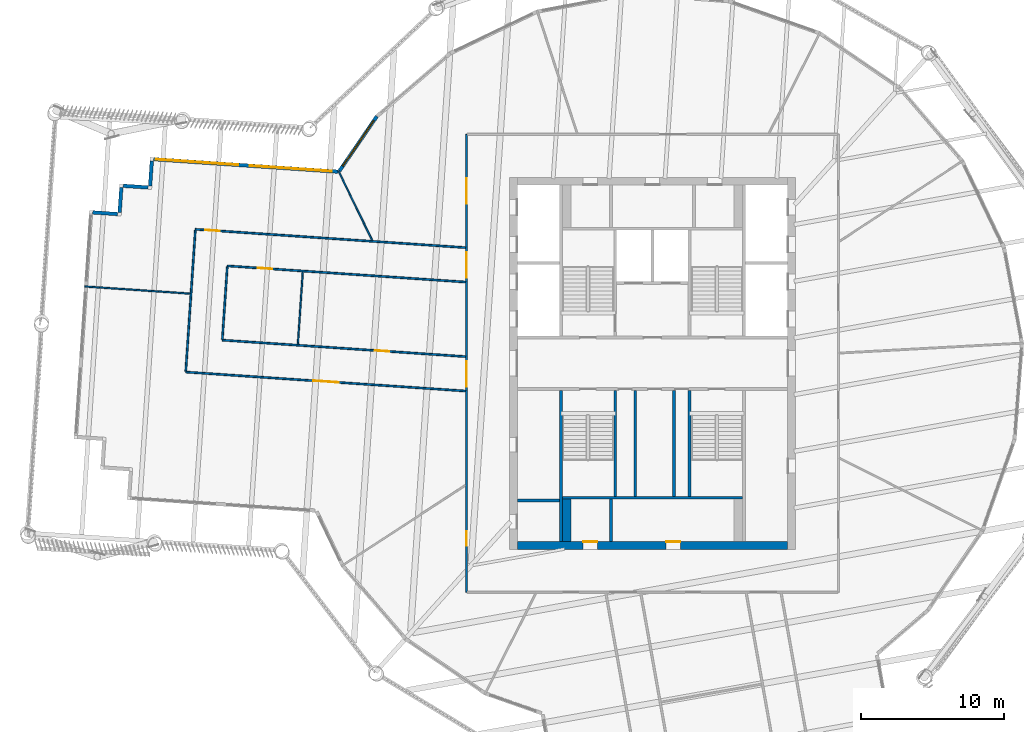
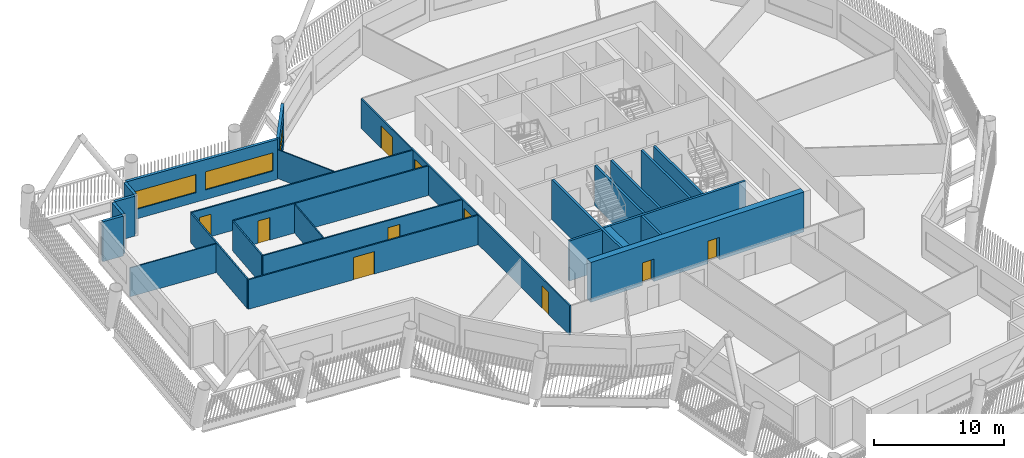
# One storey, part 4 of 22: 26 walls, 10 doors, 3 windows, 13 openings.
"""IFC4 building model written with IfcOpenShell, lengths in metres."""

from ifc_helpers import new_model, si_unit, direction, frame, frame_2d, origin, place, context, subcontext, project, spatial, rectangle, extrude, material, layer, layer_set, type_object, element, fill, save


model = new_model("IFC4")

# Units and contexts
model_context = context("Model", 3, precision=1e-05, world=origin(), true_north=direction((0.0, 1.0)))
body_context = subcontext(model_context, "Body", "Model", "MODEL_VIEW")
ifc_project = project(units=[si_unit("LENGTHUNIT", "METRE"), si_unit("AREAUNIT", "SQUARE_METRE"), si_unit("VOLUMEUNIT", "CUBIC_METRE"), si_unit("PLANEANGLEUNIT", "RADIAN"), si_unit("MASSUNIT", "GRAM", prefix="KILO")], contexts=[model_context])

# Site, building, storey
site_placement = place(None, origin())
site = spatial("IfcSite", under=ifc_project, at=site_placement, CompositionType="ELEMENT")
building_placement = place(site_placement, origin())
building = spatial("IfcBuilding", under=site, at=building_placement, Name="Tarsis Ring Headquarters", CompositionType="ELEMENT")
storey_placement = place(building_placement, frame((0.0, 0.0, 270.800048828125)))
storey = spatial("IfcBuildingStorey", under=building, at=storey_placement, Name="L63", CompositionType="ELEMENT", Elevation=270.800048828125)

# Walls
ifc_material_1 = material(Name="Blockwork", Category="masonry")
ifc_layer_1 = layer(ifc_material_1, 0.199951171875)
ifc_layer_set_1 = layer_set([ifc_layer_1], Name="Core blockwork wall 200")
wall_type_1 = type_object("IfcWallType", Name="Core blockwork wall 200", PredefinedType="PARTITIONING", material=ifc_layer_set_1)
for number, where, z_axis, x_axis, name in (
    (1, (-9.449951171875, -9.60009765625, 0.0), (0.0, 0.0, 1.0), (1.0, 0.0, 0.0), "Core partition WD1"),
    (2, (-2.89990234375, -12.449951171875, 0.0), (0.0, 0.0, 1.0), (0.0, 1.0, 0.0), "Core partition SD1"),
):
    element("IfcWall", number, at=place(storey_placement, frame(where, z_axis=z_axis, x_axis=x_axis)), inside=storey, type_object=wall_type_1, Name=name, PredefinedType="PARTITIONING", context=body_context, shape_type="SweptSolid", body=[
        extrude(rectangle(XDim=2.949951171875, YDim=0.199951171875, at=frame_2d((1.47509765625, 0.0))), origin(), (0.0, 0.0, 1.0), 3.739990234375),
    ])
for number, where, z_axis, x_axis, name in (
    (3, (-1.199951171875, -9.300048828125, 0.0), (0.0, 0.0, 1.0), (0.0, 1.0, 0.0), "Core partition SV1"),
    (4, (1.5, -9.300048828125, 0.0), (0.0, 0.0, 1.0), (0.0, 1.0, 0.0), "Core partition SV2"),
):
    element("IfcWall", number, at=place(storey_placement, frame(where, z_axis=z_axis, x_axis=x_axis)), inside=storey, type_object=wall_type_1, Name=name, PredefinedType="PARTITIONING", context=body_context, shape_type="SweptSolid", body=[
        extrude(rectangle(XDim=7.400146484375, YDim=0.199951171875, at=frame_2d((3.7001953125, 0.0))), origin(), (0.0, 0.0, 1.0), 3.739990234375),
    ])

# Wall, openings, doors
ifc_material_2 = material(Name="Concrete C50/60", Category="concrete")
ifc_layer_2 = layer(ifc_material_2, 0.550048828125)
ifc_layer_set_2 = layer_set([ifc_layer_2], Name="Core wall 550 C50/60")
wall_type_2 = type_object("IfcWallType", Name="Core wall 550 C50/60", PredefinedType="SHEAR", material=ifc_layer_set_2)
wall_1_placement = place(storey_placement, frame((-9.449951171875, -12.72509765625, 0.0), z_axis=(0.0, 0.0, 1.0), x_axis=(1.0, 0.0, 0.0)))
wall_1 = element("IfcWall", 5, at=wall_1_placement, inside=storey, type_object=wall_type_2, Name="Core wall OS", PredefinedType="SHEAR", context=body_context, shape_type="SweptSolid", body=[
    extrude(rectangle(XDim=18.89990234375, YDim=0.550048828125, at=frame_2d((9.449951171875, 0.0))), origin(), (0.0, 0.0, 1.0), 3.739990234375),
])
opening_1_placement = place(wall_1_placement, frame((4.60009765625, 0.0, 0.0)))
opening_1 = element("IfcOpeningElement", 6, at=opening_1_placement, cuts=wall_1, Name="Opening L63-C17", PredefinedType="OPENING", context=body_context, shape_type="SweptSolid", body=[
    extrude(rectangle(XDim=1.0, YDim=2.10009765625, at=frame_2d((0.5, 1.050048828125))), frame((0.0, 0.284912109375, 0.0), z_axis=(0.0, -1.0, 0.0), x_axis=(1.0, 0.0, 0.0)), (0.0, 0.0, 1.0), 0.570068359375),
])
opening_2_placement = place(wall_1_placement, frame((10.39990234375, 0.0, 0.0)))
opening_2 = element("IfcOpeningElement", 7, at=opening_2_placement, cuts=wall_1, Name="Opening L63-C18", PredefinedType="OPENING", context=body_context, shape_type="SweptSolid", body=[
    extrude(rectangle(XDim=1.0, YDim=2.10009765625, at=frame_2d((0.5, 1.050048828125))), frame((0.0, 0.284912109375, 0.0), z_axis=(0.0, -1.0, 0.0), x_axis=(1.0, 0.0, 0.0)), (0.0, 0.0, 1.0), 0.570068359375),
])
ifc_material_3 = material(Name="Steel S355", Category="steel")
door_type_1 = type_object("IfcDoorType", Name="Core room door 1000x2100", OperationType="SINGLE_SWING_LEFT", PredefinedType="DOOR", material=ifc_material_3)
door_1_placement = place(opening_1_placement, origin())
door_1 = element("IfcDoor", 8, at=door_1_placement, inside=storey, type_object=door_type_1, Name="Core room door L63", OperationType="SINGLE_SWING_LEFT", OverallHeight=2.10009765625, OverallWidth=1.0, PredefinedType="DOOR", context=body_context, shape_type="SweptSolid", body=[
    extrude(rectangle(XDim=1.0, YDim=2.10009765625, at=frame_2d((0.5, 1.050048828125))), frame((0.0, 0.27490234375, 0.0), z_axis=(0.0, -1.0, 0.0), x_axis=(1.0, 0.0, 0.0)), (0.0, 0.0, 1.0), 0.050048828125),
])
fill(opening_1, door_1)
door_2_placement = place(opening_2_placement, origin())
door_2 = element("IfcDoor", 9, at=door_2_placement, inside=storey, type_object=door_type_1, Name="Core room door L63", OperationType="SINGLE_SWING_LEFT", OverallHeight=2.10009765625, OverallWidth=1.0, PredefinedType="DOOR", context=body_context, shape_type="SweptSolid", body=[
    extrude(rectangle(XDim=1.0, YDim=2.10009765625, at=frame_2d((0.5, 1.050048828125))), frame((0.0, 0.27490234375, 0.0), z_axis=(0.0, -1.0, 0.0), x_axis=(1.0, 0.0, 0.0)), (0.0, 0.0, 1.0), 0.050048828125),
])
fill(opening_2, door_2)

# Walls
ifc_material_4 = material(Name="Gypsum board on steel studs", Category="steel")
ifc_layer_3 = layer(ifc_material_4, 0.10009765625)
ifc_layer_set_3 = layer_set([ifc_layer_3], Name="FL partition 100 unrated")
wall_type_3 = type_object("IfcWallType", Name="FL partition 100 unrated", PredefinedType="PARTITIONING", material=ifc_layer_set_3)
wall_2_placement = place(storey_placement, frame((-39.677734375, 5.3671875, 0.0), z_axis=(0.0, 0.0, 1.0), x_axis=(0.997707238511, -0.06767766413, 0.0)))
element("IfcWall", 10, at=wall_2_placement, inside=storey, type_object=wall_type_3, Name="Partition PW3", PredefinedType="PARTITIONING", context=body_context, shape_type="SweptSolid", body=[
    extrude(rectangle(XDim=7.369873046875, YDim=0.10009765625, at=frame_2d((3.68505859375, 0.0))), origin(), (0.0, 0.0, 1.0), 2.699951171875),
])
wall_3_placement = place(storey_placement, frame((-21.943603515625, 13.440673828125, 0.0), z_axis=(0.0, 0.0, 1.0), x_axis=(0.436331469753, -0.899786001505, 0.0)))
element("IfcWall", 11, at=wall_3_placement, inside=storey, type_object=wall_type_3, Name="Partition PW3", PredefinedType="PARTITIONING", context=body_context, shape_type="SweptSolid", body=[
    extrude(rectangle(XDim=5.373779296875, YDim=0.10009765625, at=frame_2d((2.68701171875, 0.0))), origin(), (0.0, 0.0, 1.0), 2.699951171875),
])
wall_4_placement = place(storey_placement, frame((-24.786865234375, 1.330322265625, 0.0), z_axis=(0.0, 0.0, 1.0), x_axis=(0.067694248819, 0.997706113381, 0.0)))
element("IfcWall", 12, at=wall_4_placement, inside=storey, type_object=wall_type_3, Name="Partition PW3", PredefinedType="PARTITIONING", context=body_context, shape_type="SweptSolid", body=[
    extrude(rectangle(XDim=5.06005859375, YDim=0.10009765625, at=frame_2d((2.530029296875, 0.0))), origin(), (0.0, 0.0, 1.0), 2.699951171875),
])

# Wall, openings, doors
ifc_layer_4 = layer(ifc_material_4, 0.125)
ifc_layer_set_4 = layer_set([ifc_layer_4], Name="FL partition 125 EI 60 H2770")
wall_type_4 = type_object("IfcWallType", Name="FL partition 125 EI 60 H2770", PredefinedType="PARTITIONING", material=ifc_layer_set_4)
wall_5_placement = place(storey_placement, frame((-13.0, -16.0, 0.0), z_axis=(0.0, 0.0, 1.0), x_axis=(0.0, 1.0, 0.0)))
wall_5 = element("IfcWall", 13, at=wall_5_placement, inside=storey, type_object=wall_type_4, Name="Partition PW1", PredefinedType="PARTITIONING", context=body_context, shape_type="SweptSolid", body=[
    extrude(rectangle(XDim=32.0, YDim=0.125, at=frame_2d((16.0, 0.0))), origin(), (0.0, 0.0, 1.0), 2.77001953125),
])
opening_3_placement = place(wall_5_placement, frame((27.13916015625, 0.0, 0.0)))
opening_3 = element("IfcOpeningElement", 14, at=opening_3_placement, cuts=wall_5, Name="Opening D63.03", PredefinedType="OPENING", context=body_context, shape_type="SweptSolid", body=[
    extrude(rectangle(XDim=1.800048828125, YDim=2.10009765625, at=frame_2d((0.89990234375, 1.050048828125))), frame((0.0, 0.072509765625, 0.0), z_axis=(0.0, -1.0, 0.0), x_axis=(1.0, 0.0, 0.0)), (0.0, 0.0, 1.0), 0.14501953125),
])
opening_4_placement = place(wall_5_placement, frame((3.259521484375, 0.0, 0.0)))
opening_4 = element("IfcOpeningElement", 15, at=opening_4_placement, cuts=wall_5, Name="Opening D63.11", PredefinedType="OPENING", context=body_context, shape_type="SweptSolid", body=[
    extrude(rectangle(XDim=1.0, YDim=2.10009765625, at=frame_2d((0.5, 1.050048828125))), frame((0.0, 0.072509765625, 0.0), z_axis=(0.0, -1.0, 0.0), x_axis=(1.0, 0.0, 0.0)), (0.0, 0.0, 1.0), 0.14501953125),
])
opening_5_placement = place(wall_5_placement, frame((14.35791015625, 0.0, 0.0)))
opening_5 = element("IfcOpeningElement", 16, at=opening_5_placement, cuts=wall_5, Name="Opening D63.18", PredefinedType="OPENING", context=body_context, shape_type="SweptSolid", body=[
    extrude(rectangle(XDim=1.800048828125, YDim=2.10009765625, at=frame_2d((0.89990234375, 1.050048828125))), frame((0.0, 0.072509765625, 0.0), z_axis=(0.0, -1.0, 0.0), x_axis=(1.0, 0.0, 0.0)), (0.0, 0.0, 1.0), 0.14501953125),
])
opening_6_placement = place(wall_5_placement, frame((21.975341796875, 0.0, 0.0)))
opening_6 = element("IfcOpeningElement", 17, at=opening_6_placement, cuts=wall_5, Name="Opening D63.19", PredefinedType="OPENING", context=body_context, shape_type="SweptSolid", body=[
    extrude(rectangle(XDim=1.800048828125, YDim=2.10009765625, at=frame_2d((0.89990234375, 1.050048828125))), frame((0.0, 0.072509765625, 0.0), z_axis=(0.0, -1.0, 0.0), x_axis=(1.0, 0.0, 0.0)), (0.0, 0.0, 1.0), 0.14501953125),
])
ifc_material_5 = material(Name="Fire-rated timber door leaf in steel frame", Category="steel")
door_type_2 = type_object("IfcDoorType", Name="FL door FD60-1000", OperationType="NOTDEFINED", PredefinedType="DOOR", material=ifc_material_5)
door_3_placement = place(opening_4_placement, origin())
door_3 = element("IfcDoor", 18, at=door_3_placement, inside=storey, type_object=door_type_2, Name="Door D63.11", OperationType="SINGLE_SWING_RIGHT", OverallHeight=2.10009765625, OverallWidth=1.0, PredefinedType="DOOR", context=body_context, shape_type="SweptSolid", body=[
    extrude(rectangle(XDim=1.0, YDim=2.10009765625, at=frame_2d((0.5, 1.050048828125))), frame((0.0, 0.02490234375, 0.0), z_axis=(0.0, -1.0, 0.0), x_axis=(1.0, 0.0, 0.0)), (0.0, 0.0, 1.0), 0.050048828125),
])
fill(opening_4, door_3)
door_type_3 = type_object("IfcDoorType", Name="FL door FD60-1800", OperationType="DOUBLE_DOOR_SINGLE_SWING", PredefinedType="DOOR", material=ifc_material_5)
door_4_placement = place(opening_3_placement, origin())
door_4 = element("IfcDoor", 19, at=door_4_placement, inside=storey, type_object=door_type_3, Name="Door D63.03", OperationType="DOUBLE_DOOR_SINGLE_SWING", OverallHeight=2.10009765625, OverallWidth=1.800048828125, PredefinedType="DOOR", context=body_context, shape_type="SweptSolid", body=[
    extrude(rectangle(XDim=1.800048828125, YDim=2.10009765625, at=frame_2d((0.89990234375, 1.050048828125))), frame((0.0, 0.02490234375, 0.0), z_axis=(0.0, -1.0, 0.0), x_axis=(1.0, 0.0, 0.0)), (0.0, 0.0, 1.0), 0.050048828125),
])
fill(opening_3, door_4)
door_5_placement = place(opening_5_placement, origin())
door_5 = element("IfcDoor", 20, at=door_5_placement, inside=storey, type_object=door_type_3, Name="Door D63.18", OperationType="DOUBLE_DOOR_SINGLE_SWING", OverallHeight=2.10009765625, OverallWidth=1.800048828125, PredefinedType="DOOR", context=body_context, shape_type="SweptSolid", body=[
    extrude(rectangle(XDim=1.800048828125, YDim=2.10009765625, at=frame_2d((0.89990234375, 1.050048828125))), frame((0.0, 0.02490234375, 0.0), z_axis=(0.0, -1.0, 0.0), x_axis=(1.0, 0.0, 0.0)), (0.0, 0.0, 1.0), 0.050048828125),
])
fill(opening_5, door_5)
door_6_placement = place(opening_6_placement, origin())
door_6 = element("IfcDoor", 21, at=door_6_placement, inside=storey, type_object=door_type_3, Name="Door D63.19", OperationType="DOUBLE_DOOR_SINGLE_SWING", OverallHeight=2.10009765625, OverallWidth=1.800048828125, PredefinedType="DOOR", context=body_context, shape_type="SweptSolid", body=[
    extrude(rectangle(XDim=1.800048828125, YDim=2.10009765625, at=frame_2d((0.89990234375, 1.050048828125))), frame((0.0, 0.02490234375, 0.0), z_axis=(0.0, -1.0, 0.0), x_axis=(1.0, 0.0, 0.0)), (0.0, 0.0, 1.0), 0.050048828125),
])
fill(opening_6, door_6)

# Wall, opening, door
wall_6_placement = place(storey_placement, frame((-32.626220703125, -0.61376953125, 0.0), z_axis=(0.0, 0.0, 1.0), x_axis=(0.997708619228, -0.067657306464, 0.0)))
wall_6 = element("IfcWall", 22, at=wall_6_placement, inside=storey, type_object=wall_type_4, Name="Partition PW1", PredefinedType="PARTITIONING", context=body_context, shape_type="SweptSolid", body=[
    extrude(rectangle(XDim=19.601318359375, YDim=0.125, at=frame_2d((9.80078125, 0.0))), origin(), (0.0, 0.0, 1.0), 2.77001953125),
])
opening_7_placement = place(wall_6_placement, frame((8.935791015625, 0.0, 0.0)))
opening_7 = element("IfcOpeningElement", 23, at=opening_7_placement, cuts=wall_6, Name="Opening D63.01", PredefinedType="OPENING", context=body_context, shape_type="SweptSolid", body=[
    extrude(rectangle(XDim=1.800048828125, YDim=2.10009765625, at=frame_2d((0.89990234375, 1.050048828125))), frame((0.0, 0.072509765625, 0.0), z_axis=(0.0, -1.0, 0.0), x_axis=(1.0, 0.0, 0.0)), (0.0, 0.0, 1.0), 0.14501953125),
])
door_7_placement = place(opening_7_placement, origin())
door_7 = element("IfcDoor", 24, at=door_7_placement, inside=storey, type_object=door_type_3, Name="Door D63.01", OperationType="DOUBLE_DOOR_SINGLE_SWING", OverallHeight=2.10009765625, OverallWidth=1.800048828125, PredefinedType="DOOR", context=body_context, shape_type="SweptSolid", body=[
    extrude(rectangle(XDim=1.800048828125, YDim=2.10009765625, at=frame_2d((0.89990234375, 1.050048828125))), frame((0.0, 0.02490234375, 0.0), z_axis=(0.0, -1.0, 0.0), x_axis=(1.0, 0.0, 0.0)), (0.0, 0.0, 1.0), 0.050048828125),
])
fill(opening_7, door_7)

wall_7_placement = place(storey_placement, frame((-31.94970703125, 9.36328125, 0.0), z_axis=(0.0, 0.0, 1.0), x_axis=(0.997708698507, -0.067656137368, 0.0)))
wall_7 = element("IfcWall", 25, at=wall_7_placement, inside=storey, type_object=wall_type_4, Name="Partition PW1", PredefinedType="PARTITIONING", context=body_context, shape_type="SweptSolid", body=[
    extrude(rectangle(XDim=18.92333984375, YDim=0.125, at=frame_2d((9.461669921875, 0.0))), origin(), (0.0, 0.0, 1.0), 2.77001953125),
])
opening_8_placement = place(wall_7_placement, frame((0.699951171875, 0.0, 0.0)))
opening_8 = element("IfcOpeningElement", 26, at=opening_8_placement, cuts=wall_7, Name="Opening D63.02", PredefinedType="OPENING", context=body_context, shape_type="SweptSolid", body=[
    extrude(rectangle(XDim=1.0, YDim=2.10009765625, at=frame_2d((0.5, 1.050048828125))), frame((0.0, 0.072509765625, 0.0), z_axis=(0.0, -1.0, 0.0), x_axis=(1.0, 0.0, 0.0)), (0.0, 0.0, 1.0), 0.14501953125),
])
door_8_placement = place(opening_8_placement, origin())
door_8 = element("IfcDoor", 27, at=door_8_placement, inside=storey, type_object=door_type_2, Name="Door D63.02", OperationType="SINGLE_SWING_LEFT", OverallHeight=2.10009765625, OverallWidth=1.0, PredefinedType="DOOR", context=body_context, shape_type="SweptSolid", body=[
    extrude(rectangle(XDim=1.0, YDim=2.10009765625, at=frame_2d((0.5, 1.050048828125))), frame((0.0, 0.02490234375, 0.0), z_axis=(0.0, -1.0, 0.0), x_axis=(1.0, 0.0, 0.0)), (0.0, 0.0, 1.0), 0.050048828125),
])
fill(opening_8, door_8)

wall_8_placement = place(storey_placement, frame((-30.0693359375, 1.618408203125, 0.0), z_axis=(0.0, 0.0, 1.0), x_axis=(0.997708423541, -0.067660192101, 0.0)))
wall_8 = element("IfcWall", 28, at=wall_8_placement, inside=storey, type_object=wall_type_4, Name="Partition PW1", PredefinedType="PARTITIONING", context=body_context, shape_type="SweptSolid", body=[
    extrude(rectangle(XDim=17.03857421875, YDim=0.125, at=frame_2d((8.519287109375, 0.0))), origin(), (0.0, 0.0, 1.0), 2.77001953125),
])
opening_9_placement = place(wall_8_placement, frame((10.698486328125, 0.0, 0.0)))
opening_9 = element("IfcOpeningElement", 29, at=opening_9_placement, cuts=wall_8, Name="Opening D63.12", PredefinedType="OPENING", context=body_context, shape_type="SweptSolid", body=[
    extrude(rectangle(XDim=1.0, YDim=2.10009765625, at=frame_2d((0.5, 1.050048828125))), frame((0.0, 0.072509765625, 0.0), z_axis=(0.0, -1.0, 0.0), x_axis=(1.0, 0.0, 0.0)), (0.0, 0.0, 1.0), 0.14501953125),
])
door_9_placement = place(opening_9_placement, origin())
door_9 = element("IfcDoor", 30, at=door_9_placement, inside=storey, type_object=door_type_2, Name="Door D63.12", OperationType="SINGLE_SWING_LEFT", OverallHeight=2.10009765625, OverallWidth=1.0, PredefinedType="DOOR", context=body_context, shape_type="SweptSolid", body=[
    extrude(rectangle(XDim=1.0, YDim=2.10009765625, at=frame_2d((0.5, 1.050048828125))), frame((0.0, 0.02490234375, 0.0), z_axis=(0.0, -1.0, 0.0), x_axis=(1.0, 0.0, 0.0)), (0.0, 0.0, 1.0), 0.050048828125),
])
fill(opening_9, door_9)

wall_9_placement = place(storey_placement, frame((-29.717529296875, 6.806396484375, 0.0), z_axis=(0.0, 0.0, 1.0), x_axis=(0.997708697843, -0.067656147162, 0.0)))
wall_9 = element("IfcWall", 31, at=wall_9_placement, inside=storey, type_object=wall_type_4, Name="Partition PW1", PredefinedType="PARTITIONING", context=body_context, shape_type="SweptSolid", body=[
    extrude(rectangle(XDim=16.68603515625, YDim=0.125, at=frame_2d((8.343017578125, 0.0))), origin(), (0.0, 0.0, 1.0), 2.77001953125),
])
opening_10_placement = place(wall_9_placement, frame((2.144287109375, 0.0, 0.0)))
opening_10 = element("IfcOpeningElement", 32, at=opening_10_placement, cuts=wall_9, Name="Opening D63.13", PredefinedType="OPENING", context=body_context, shape_type="SweptSolid", body=[
    extrude(rectangle(XDim=1.0, YDim=2.10009765625, at=frame_2d((0.5, 1.050048828125))), frame((0.0, 0.072509765625, 0.0), z_axis=(0.0, -1.0, 0.0), x_axis=(1.0, 0.0, 0.0)), (0.0, 0.0, 1.0), 0.14501953125),
])
door_10_placement = place(opening_10_placement, origin())
door_10 = element("IfcDoor", 33, at=door_10_placement, inside=storey, type_object=door_type_2, Name="Door D63.13", OperationType="SINGLE_SWING_RIGHT", OverallHeight=2.10009765625, OverallWidth=1.0, PredefinedType="DOOR", context=body_context, shape_type="SweptSolid", body=[
    extrude(rectangle(XDim=1.0, YDim=2.10009765625, at=frame_2d((0.5, 1.050048828125))), frame((0.0, 0.02490234375, 0.0), z_axis=(0.0, -1.0, 0.0), x_axis=(1.0, 0.0, 0.0)), (0.0, 0.0, 1.0), 0.050048828125),
])
fill(opening_10, door_10)

# Walls
wall_10_placement = place(storey_placement, frame((-32.622314453125, -0.5537109375, 0.0), z_axis=(0.0, 0.0, 1.0), x_axis=(0.067683444021, 0.997706846426, 0.0)))
element("IfcWall", 34, at=wall_10_placement, inside=storey, type_object=wall_type_4, Name="Partition PW1", PredefinedType="PARTITIONING", context=body_context, shape_type="SweptSolid", body=[
    extrude(rectangle(XDim=9.8798828125, YDim=0.125, at=frame_2d((4.93994140625, 0.0))), origin(), (0.0, 0.0, 1.0), 2.77001953125),
])
wall_11_placement = place(storey_placement, frame((-30.065185546875, 1.67822265625, 0.0), z_axis=(0.0, 0.0, 1.0), x_axis=(0.067619443106, 0.997711186123, 0.0)))
element("IfcWall", 35, at=wall_11_placement, inside=storey, type_object=wall_type_4, Name="Partition PW1", PredefinedType="PARTITIONING", context=body_context, shape_type="SweptSolid", body=[
    extrude(rectangle(XDim=5.080078125, YDim=0.125, at=frame_2d((2.5400390625, 0.0))), origin(), (0.0, 0.0, 1.0), 2.77001953125),
])

# Wall, opening, window
ifc_material_6 = material(Name="Terracotta clad insulated panel wall", Category="masonry")
ifc_layer_5 = layer(ifc_material_6, 0.25)
ifc_layer_set_5 = layer_set([ifc_layer_5], Name="Facade wall terracotta panel 250")
wall_type_5 = type_object("IfcWallType", Name="Facade wall terracotta panel 250", PredefinedType="STANDARD", material=ifc_layer_set_5)
wall_12_placement = place(storey_placement, frame((-19.273681640625, 17.259033203125, 0.0), z_axis=(0.0, 0.0, 1.0), x_axis=(-0.564664961598, -0.825320229452, 0.0)))
wall_12 = element("IfcWall", 36, at=wall_12_placement, inside=storey, type_object=wall_type_5, Name="External wall L63-30", PredefinedType="STANDARD", context=body_context, shape_type="SweptSolid", body=[
    extrude(rectangle(XDim=4.61767578125, YDim=0.25, at=frame_2d((2.308837890625, 0.0))), origin(), (0.0, 0.0, 1.0), 3.739990234375),
])
opening_11_placement = place(wall_12_placement, frame((0.367431640625, 0.0, 0.89990234375)))
opening_11 = element("IfcOpeningElement", 37, at=opening_11_placement, cuts=wall_12, Name="Opening WN02", PredefinedType="OPENING", context=body_context, shape_type="SweptSolid", body=[
    extrude(rectangle(XDim=3.85009765625, YDim=1.699951171875, at=frame_2d((1.925048828125, 0.85009765625))), frame((0.0, 0.135009765625, 0.0), z_axis=(0.0, -1.0, 0.0), x_axis=(1.0, 0.0, 0.0)), (0.0, 0.0, 1.0), 0.27001953125),
])
ifc_material_7 = material(Name="Aluminium framed double glazing", Category="aluminium")
window_type_1 = type_object("IfcWindowType", Name="Facade window 3850 x 1700", PartitioningType="SINGLE_PANEL", PredefinedType="WINDOW", material=ifc_material_7)
window_1_placement = place(opening_11_placement, origin())
window_1 = element("IfcWindow", 38, at=window_1_placement, inside=storey, type_object=window_type_1, Name="Window L63-30.1", OverallHeight=1.699951171875, OverallWidth=3.85009765625, PartitioningType="SINGLE_PANEL", PredefinedType="WINDOW", context=body_context, shape_type="SweptSolid", body=[
    extrude(rectangle(XDim=3.85009765625, YDim=1.699951171875, at=frame_2d((1.925048828125, 0.85009765625))), frame((0.0, 0.030029296875, 0.0), z_axis=(0.0, -1.0, 0.0), x_axis=(1.0, 0.0, 0.0)), (0.0, 0.0, 1.0), 0.06005859375),
])
fill(opening_11, window_1)

# Wall, openings, windows
wall_13_placement = place(storey_placement, frame((-21.99267578125, 13.393798828125, 0.0), z_axis=(0.0, 0.0, 1.0), x_axis=(-0.9977077103, 0.067670708648, 0.0)))
wall_13 = element("IfcWall", 39, at=wall_13_placement, inside=storey, type_object=wall_type_5, Name="External wall L63-31", PredefinedType="STANDARD", context=body_context, shape_type="SweptSolid", body=[
    extrude(rectangle(XDim=12.9013671875, YDim=0.25, at=frame_2d((6.45068359375, 0.0))), origin(), (0.0, 0.0, 1.0), 3.739990234375),
])
opening_12_placement = place(wall_13_placement, frame((0.412841796875, 0.0, 0.89990234375)))
opening_12 = element("IfcOpeningElement", 40, at=opening_12_placement, cuts=wall_13, Name="Opening WN06", PredefinedType="OPENING", context=body_context, shape_type="SweptSolid", body=[
    extrude(rectangle(XDim=5.75, YDim=1.699951171875, at=frame_2d((2.875, 0.85009765625))), frame((0.0, 0.135009765625, 0.0), z_axis=(0.0, -1.0, 0.0), x_axis=(1.0, 0.0, 0.0)), (0.0, 0.0, 1.0), 0.27001953125),
])
opening_13_placement = place(wall_13_placement, frame((6.988525390625, 0.0, 0.89990234375)))
opening_13 = element("IfcOpeningElement", 41, at=opening_13_placement, cuts=wall_13, Name="Opening WN06", PredefinedType="OPENING", context=body_context, shape_type="SweptSolid", body=[
    extrude(rectangle(XDim=5.75, YDim=1.699951171875, at=frame_2d((2.875, 0.85009765625))), frame((0.0, 0.135009765625, 0.0), z_axis=(0.0, -1.0, 0.0), x_axis=(1.0, 0.0, 0.0)), (0.0, 0.0, 1.0), 0.27001953125),
])
window_type_2 = type_object("IfcWindowType", Name="Facade window 5750 x 1700", PartitioningType="SINGLE_PANEL", PredefinedType="WINDOW", material=ifc_material_7)
window_2_placement = place(opening_12_placement, origin())
window_2 = element("IfcWindow", 42, at=window_2_placement, inside=storey, type_object=window_type_2, Name="Window L63-31.1", OverallHeight=1.699951171875, OverallWidth=5.75, PartitioningType="SINGLE_PANEL", PredefinedType="WINDOW", context=body_context, shape_type="SweptSolid", body=[
    extrude(rectangle(XDim=5.75, YDim=1.699951171875, at=frame_2d((2.875, 0.85009765625))), frame((0.0, 0.030029296875, 0.0), z_axis=(0.0, -1.0, 0.0), x_axis=(1.0, 0.0, 0.0)), (0.0, 0.0, 1.0), 0.06005859375),
])
fill(opening_12, window_2)
window_3_placement = place(opening_13_placement, origin())
window_3 = element("IfcWindow", 43, at=window_3_placement, inside=storey, type_object=window_type_2, Name="Window L63-31.2", OverallHeight=1.699951171875, OverallWidth=5.75, PartitioningType="SINGLE_PANEL", PredefinedType="WINDOW", context=body_context, shape_type="SweptSolid", body=[
    extrude(rectangle(XDim=5.75, YDim=1.699951171875, at=frame_2d((2.875, 0.85009765625))), frame((0.0, 0.030029296875, 0.0), z_axis=(0.0, -1.0, 0.0), x_axis=(1.0, 0.0, 0.0)), (0.0, 0.0, 1.0), 0.06005859375),
])
fill(opening_13, window_3)

# Walls
for number, where, z_axis, x_axis, name in (
    (44, (-34.997802734375, 14.150634765625, 0.0), (0.0, 0.0, 1.0), (-0.067657810925, -0.997708585019, 0.0), "External wall L63-32"),
    (45, (-35.249267578125, 12.288330078125, 0.0), (0.0, 0.0, 1.0), (-0.997708585019, 0.067657810925, 0.0), "External wall L63-33"),
    (46, (-37.12841796875, 12.29052734375, 0.0), (0.0, 0.0, 1.0), (-0.067657810925, -0.997708585019, 0.0), "External wall L63-34"),
):
    element("IfcWall", number, at=place(storey_placement, frame(where, z_axis=z_axis, x_axis=x_axis)), inside=storey, type_object=wall_type_5, Name=name, PredefinedType="STANDARD", context=body_context, shape_type="SweptSolid", body=[
        extrude(rectangle(XDim=1.75, YDim=0.25, at=frame_2d((0.875, 0.0))), origin(), (0.0, 0.0, 1.0), 3.739990234375),
    ])
wall_14_placement = place(storey_placement, frame((-37.380126953125, 10.42822265625, 0.0), z_axis=(0.0, 0.0, 1.0), x_axis=(-0.997707946311, 0.067667228914, 0.0)))
element("IfcWall", 47, at=wall_14_placement, inside=storey, type_object=wall_type_5, Name="External wall L63-35", PredefinedType="STANDARD", context=body_context, shape_type="SweptSolid", body=[
    extrude(rectangle(XDim=1.749755859375, YDim=0.25, at=frame_2d((0.875, 0.0))), origin(), (0.0, 0.0, 1.0), 3.739990234375),
])
ifc_material_8 = material(Name="Concrete C32/40", Category="concrete")
ifc_layer_6 = layer(ifc_material_8, 0.60009765625)
ifc_layer_set_6 = layer_set([ifc_layer_6], Name="Shaft end wall 600 C32/40")
wall_type_6 = type_object("IfcWallType", Name="Shaft end wall 600 C32/40", PredefinedType="SOLIDWALL", material=ifc_layer_set_6)
wall_15_placement = place(storey_placement, frame((-6.0, -12.449951171875, 0.0), z_axis=(0.0, 0.0, 1.0), x_axis=(0.0, 1.0, 0.0)))
element("IfcWall", 48, at=wall_15_placement, inside=storey, type_object=wall_type_6, Name="Core shaft wall SNE1", PredefinedType="SOLIDWALL", context=body_context, shape_type="SweptSolid", body=[
    extrude(rectangle(XDim=2.949951171875, YDim=0.60009765625, at=frame_2d((1.47509765625, 0.0))), origin(), (0.0, 0.0, 1.0), 3.739990234375),
])
ifc_layer_7 = layer(ifc_material_8, 0.199951171875)
ifc_layer_set_7 = layer_set([ifc_layer_7], Name="Shaft wall 200 C32/40")
wall_type_7 = type_object("IfcWallType", Name="Shaft wall 200 C32/40", PredefinedType="SOLIDWALL", material=ifc_layer_set_7)
wall_16_placement = place(storey_placement, frame((-6.39990234375, -12.449951171875, 0.0), z_axis=(0.0, 0.0, 1.0), x_axis=(0.0, 1.0, 0.0)))
element("IfcWall", 49, at=wall_16_placement, inside=storey, type_object=wall_type_7, Name="Core shaft wall WB1", PredefinedType="SOLIDWALL", context=body_context, shape_type="SweptSolid", body=[
    extrude(rectangle(XDim=10.550048828125, YDim=0.199951171875, at=frame_2d((5.27490234375, 0.0))), origin(), (0.0, 0.0, 1.0), 3.739990234375),
])
wall_17_placement = place(storey_placement, frame((-6.300048828125, -9.39990234375, 0.0), z_axis=(0.0, 0.0, 1.0), x_axis=(1.0, 0.0, 0.0)))
element("IfcWall", 50, at=wall_17_placement, inside=storey, type_object=wall_type_7, Name="Core shaft wall SB", PredefinedType="SOLIDWALL", context=body_context, shape_type="SweptSolid", body=[
    extrude(rectangle(XDim=12.60009765625, YDim=0.199951171875, at=frame_2d((6.300048828125, 0.0))), origin(), (0.0, 0.0, 1.0), 3.739990234375),
])
for number, where, z_axis, x_axis, name in (
    (51, (-2.60009765625, -9.300048828125, 0.0), (0.0, 0.0, 1.0), (0.0, 1.0, 0.0), "Core shaft wall SW3"),
    (52, (2.60009765625, -9.300048828125, 0.0), (0.0, 0.0, 1.0), (0.0, 1.0, 0.0), "Core shaft wall SW4"),
):
    element("IfcWall", number, at=place(storey_placement, frame(where, z_axis=z_axis, x_axis=x_axis)), inside=storey, type_object=wall_type_7, Name=name, PredefinedType="SOLIDWALL", context=body_context, shape_type="SweptSolid", body=[
        extrude(rectangle(XDim=7.400146484375, YDim=0.199951171875, at=frame_2d((3.7001953125, 0.0))), origin(), (0.0, 0.0, 1.0), 3.739990234375),
    ])

save(model, "model.ifc")
